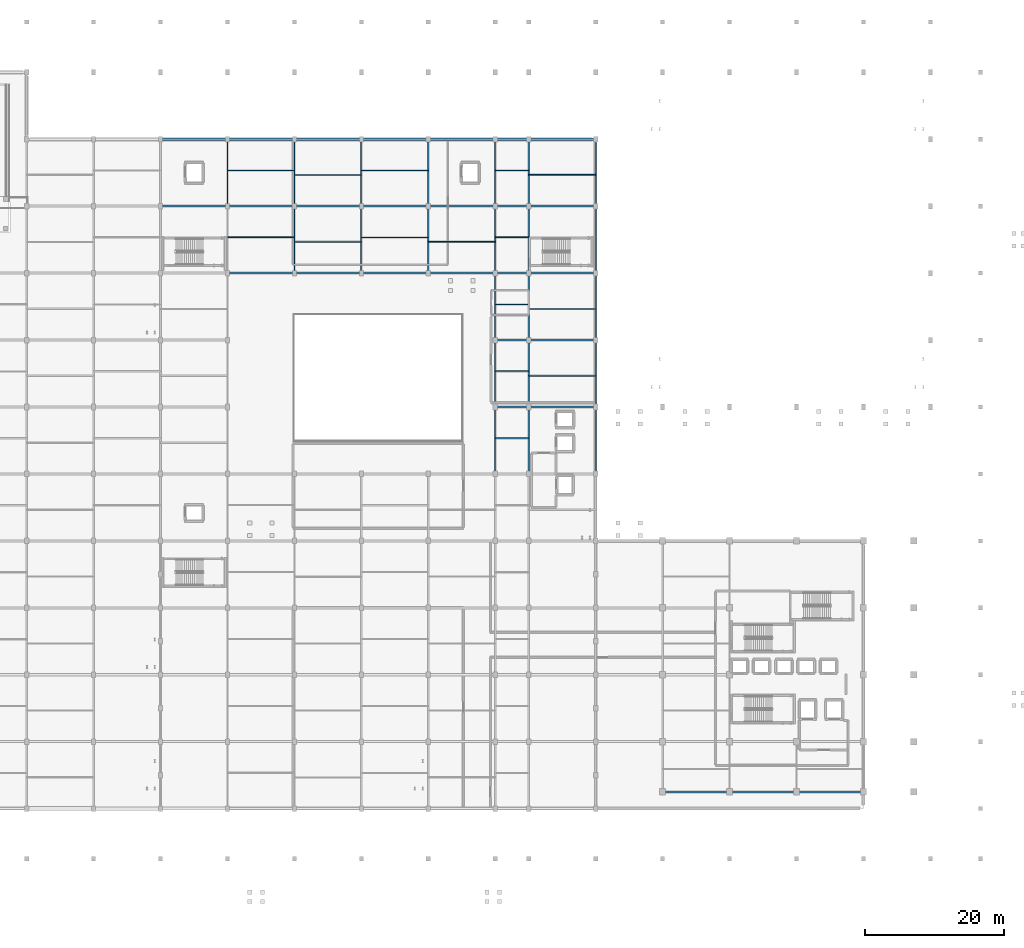
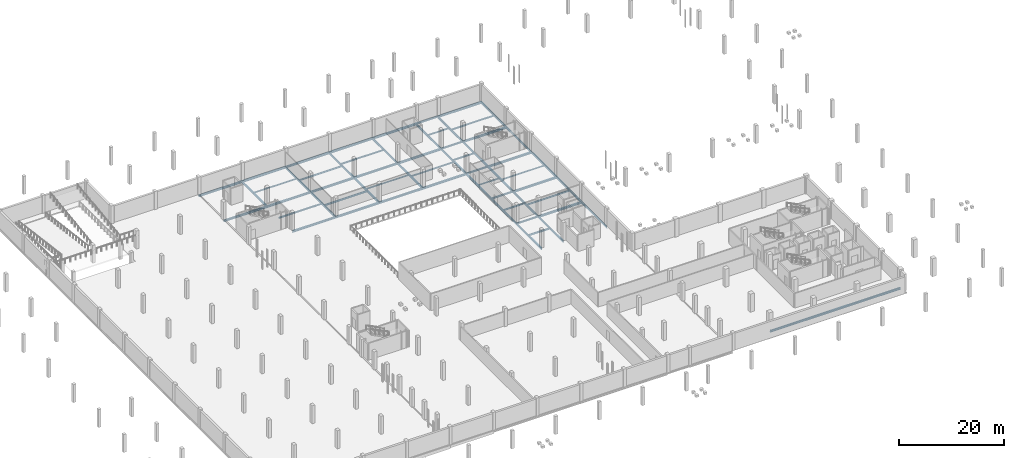
# One storey, part 29 of 47: 64 beams.
"""IFC4 building model written with IfcOpenShell, lengths in metres."""

from ifc_helpers import new_model, si_unit, direction, frame, origin, origin_2d, place, context, subcontext, project, spatial, i_section, extrude, material, material_profile, profile_set, type_object, element, save


model = new_model("IFC4")

# Units and contexts
model_context = context("Model", 3, precision=1e-05, world=origin(), true_north=direction((0.0, 1.0)))
body_context = subcontext(model_context, "Body", "Model", "MODEL_VIEW")
ifc_project = project(units=[si_unit("LENGTHUNIT", "METRE"), si_unit("AREAUNIT", "SQUARE_METRE"), si_unit("VOLUMEUNIT", "CUBIC_METRE"), si_unit("PLANEANGLEUNIT", "RADIAN"), si_unit("MASSUNIT", "GRAM", prefix="KILO")], contexts=[model_context])

# Site, building, storey
site_placement = place(None, origin())
site = spatial("IfcSite", under=ifc_project, at=site_placement, CompositionType="ELEMENT")
building_placement = place(site_placement, origin())
building = spatial("IfcBuilding", under=site, at=building_placement, Name="Zevrakil Square Congress Hotel", CompositionType="ELEMENT")
storey_placement = place(building_placement, frame((0.0, 0.0, -4.199951171875)))
storey = spatial("IfcBuildingStorey", under=building, at=storey_placement, Name="B1", CompositionType="ELEMENT", Elevation=-4.199951171875)

# Beams
ifc_material_1 = material(Name="Steel S355", Category="steel")
ifc_material_profile_1 = material_profile(ifc_material_1, i_section(OverallWidth=0.300048828125, OverallDepth=0.31005859375, WebThickness=0.009033203125, FlangeThickness=0.015380859375, FilletRadius=0.027099609375, at=origin_2d()), Name="HEA 320")
ifc_profile_set_1 = profile_set([ifc_material_profile_1], Name="Steel S355")
beam_type_1 = type_object("IfcBeamType", Name="BM-HEA320", PredefinedType="BEAM", material=ifc_profile_set_1)
for number, where, z_axis, x_axis, name in (
    (1, (103.199951171875, 64.800048828125, -0.425048828125), (1.0, 0.0, 0.0), (0.0, 1.0, 0.0), "B1 primary girder BX-0087"),
    (2, (103.199951171875, 74.39990234375, -0.425048828125), (1.0, 0.0, 0.0), (0.0, 1.0, 0.0), "B1 primary girder BX-0094"),
    (3, (103.199951171875, 84.0, -0.425048828125), (1.0, 0.0, 0.0), (0.0, 1.0, 0.0), "B1 primary girder BX-0105"),
    (4, (103.199951171875, 93.60009765625, -0.425048828125), (1.0, 0.0, 0.0), (0.0, 1.0, 0.0), "B1 primary girder BX-0114"),
    (5, (103.199951171875, 103.199951171875, -0.425048828125), (1.0, 0.0, 0.0), (0.0, 1.0, 0.0), "B1 primary girder BX-0123"),
):
    element("IfcBeam", number, at=place(storey_placement, frame(where, z_axis=z_axis, x_axis=x_axis)), inside=storey, type_object=beam_type_1, Name=name, PredefinedType="BEAM", context=body_context, shape_type="SweptSolid", body=[
        extrude(i_section(OverallWidth=0.300048828125, OverallDepth=0.31005859375, WebThickness=0.009033203125, FlangeThickness=0.015380859375, FilletRadius=0.027099609375, at=origin_2d()), origin(), (0.0, 0.0, 1.0), 4.800048828125),
    ])
ifc_material_2 = material(Name="Steel S355", Category="steel")
ifc_material_profile_2 = material_profile(ifc_material_2, i_section(OverallWidth=0.300048828125, OverallDepth=0.43994140625, WebThickness=0.011474609375, FlangeThickness=0.02099609375, FilletRadius=0.027099609375, at=origin_2d()), Name="HEA 450")
ifc_profile_set_2 = profile_set([ifc_material_profile_2], Name="Steel S355")
beam_type_2 = type_object("IfcBeamType", Name="BM-HEA450", PredefinedType="BEAM", material=ifc_profile_set_2)
beam_1_placement = place(storey_placement, frame((127.199951171875, 9.60009765625, -0.489990234375), z_axis=(1.0, 0.0, 0.0), x_axis=(0.0, 1.0, 0.0)))
element("IfcBeam", 6, at=beam_1_placement, inside=storey, type_object=beam_type_2, Name="B1 primary girder BX-0012", PredefinedType="BEAM", context=body_context, shape_type="SweptSolid", body=[
    extrude(i_section(OverallWidth=0.300048828125, OverallDepth=0.43994140625, WebThickness=0.011474609375, FlangeThickness=0.02099609375, FilletRadius=0.027099609375, at=origin_2d()), origin(), (0.0, 0.0, 1.0), 9.60009765625),
])
beam_2_placement = place(storey_placement, frame((136.800048828125, 9.60009765625, -0.489990234375), z_axis=(1.0, 0.0, 0.0), x_axis=(0.0, 1.0, 0.0)))
element("IfcBeam", 7, at=beam_2_placement, inside=storey, type_object=beam_type_2, Name="B1 primary girder BX-0013", PredefinedType="BEAM", context=body_context, shape_type="SweptSolid", body=[
    extrude(i_section(OverallWidth=0.300048828125, OverallDepth=0.43994140625, WebThickness=0.011474609375, FlangeThickness=0.02099609375, FilletRadius=0.027099609375, at=origin_2d()), origin(), (0.0, 0.0, 1.0), 9.599853515625),
])
for number, where, z_axis, x_axis, name in (
    (8, (146.39990234375, 9.60009765625, -0.489990234375), (1.0, 0.0, 0.0), (0.0, 1.0, 0.0), "B1 primary girder BX-0014"),
    (9, (108.0, 64.800048828125, -0.489990234375), (1.0, 0.0, 0.0), (0.0, 1.0, 0.0), "B1 primary girder BX-0088"),
    (10, (108.0, 74.39990234375, -0.489990234375), (1.0, 0.0, 0.0), (0.0, 1.0, 0.0), "B1 primary girder BX-0095"),
):
    element("IfcBeam", number, at=place(storey_placement, frame(where, z_axis=z_axis, x_axis=x_axis)), inside=storey, type_object=beam_type_2, Name=name, PredefinedType="BEAM", context=body_context, shape_type="SweptSolid", body=[
        extrude(i_section(OverallWidth=0.300048828125, OverallDepth=0.43994140625, WebThickness=0.011474609375, FlangeThickness=0.02099609375, FilletRadius=0.027099609375, at=origin_2d()), origin(), (0.0, 0.0, 1.0), 9.60009765625),
    ])
beam_3_placement = place(storey_placement, frame((64.800048828125, 84.0, -0.489990234375), z_axis=(1.0, 0.0, 0.0), x_axis=(0.0, 1.0, 0.0)))
element("IfcBeam", 11, at=beam_3_placement, inside=storey, type_object=beam_type_2, Name="B1 primary girder BX-0101", PredefinedType="BEAM", context=body_context, shape_type="SweptSolid", body=[
    extrude(i_section(OverallWidth=0.300048828125, OverallDepth=0.43994140625, WebThickness=0.011474609375, FlangeThickness=0.02099609375, FilletRadius=0.027099609375, at=origin_2d()), origin(), (0.0, 0.0, 1.0), 9.599853515625),
])
for number, where, z_axis, x_axis, name in (
    (12, (74.39990234375, 84.0, -0.489990234375), (1.0, 0.0, 0.0), (0.0, 1.0, 0.0), "B1 primary girder BX-0102"),
    (13, (84.0, 84.0, -0.489990234375), (1.0, 0.0, 0.0), (0.0, 1.0, 0.0), "B1 primary girder BX-0103"),
):
    element("IfcBeam", number, at=place(storey_placement, frame(where, z_axis=z_axis, x_axis=x_axis)), inside=storey, type_object=beam_type_2, Name=name, PredefinedType="BEAM", context=body_context, shape_type="SweptSolid", body=[
        extrude(i_section(OverallWidth=0.300048828125, OverallDepth=0.43994140625, WebThickness=0.011474609375, FlangeThickness=0.02099609375, FilletRadius=0.027099609375, at=origin_2d()), origin(), (0.0, 0.0, 1.0), 9.60009765625),
    ])
beam_4_placement = place(storey_placement, frame((93.60009765625, 84.0, -0.489990234375), z_axis=(1.0, 0.0, 0.0), x_axis=(0.0, 1.0, 0.0)))
element("IfcBeam", 14, at=beam_4_placement, inside=storey, type_object=beam_type_2, Name="B1 primary girder BX-0104", PredefinedType="BEAM", context=body_context, shape_type="SweptSolid", body=[
    extrude(i_section(OverallWidth=0.300048828125, OverallDepth=0.43994140625, WebThickness=0.011474609375, FlangeThickness=0.02099609375, FilletRadius=0.027099609375, at=origin_2d()), origin(), (0.0, 0.0, 1.0), 9.599853515625),
])
for number, where, z_axis, x_axis, name in (
    (15, (108.0, 84.0, -0.489990234375), (1.0, 0.0, 0.0), (0.0, 1.0, 0.0), "B1 primary girder BX-0106"),
    (16, (55.199951171875, 93.60009765625, -0.489990234375), (1.0, 0.0, 0.0), (0.0, 1.0, 0.0), "B1 primary girder BX-0109"),
):
    element("IfcBeam", number, at=place(storey_placement, frame(where, z_axis=z_axis, x_axis=x_axis)), inside=storey, type_object=beam_type_2, Name=name, PredefinedType="BEAM", context=body_context, shape_type="SweptSolid", body=[
        extrude(i_section(OverallWidth=0.300048828125, OverallDepth=0.43994140625, WebThickness=0.011474609375, FlangeThickness=0.02099609375, FilletRadius=0.027099609375, at=origin_2d()), origin(), (0.0, 0.0, 1.0), 9.60009765625),
    ])
beam_5_placement = place(storey_placement, frame((64.800048828125, 93.60009765625, -0.489990234375), z_axis=(1.0, 0.0, 0.0), x_axis=(0.0, 1.0, 0.0)))
element("IfcBeam", 17, at=beam_5_placement, inside=storey, type_object=beam_type_2, Name="B1 primary girder BX-0110", PredefinedType="BEAM", context=body_context, shape_type="SweptSolid", body=[
    extrude(i_section(OverallWidth=0.300048828125, OverallDepth=0.43994140625, WebThickness=0.011474609375, FlangeThickness=0.02099609375, FilletRadius=0.027099609375, at=origin_2d()), origin(), (0.0, 0.0, 1.0), 9.599853515625),
])
for number, where, z_axis, x_axis, name in (
    (18, (74.39990234375, 93.60009765625, -0.489990234375), (1.0, 0.0, 0.0), (0.0, 1.0, 0.0), "B1 primary girder BX-0111"),
    (19, (84.0, 93.60009765625, -0.489990234375), (1.0, 0.0, 0.0), (0.0, 1.0, 0.0), "B1 primary girder BX-0112"),
):
    element("IfcBeam", number, at=place(storey_placement, frame(where, z_axis=z_axis, x_axis=x_axis)), inside=storey, type_object=beam_type_2, Name=name, PredefinedType="BEAM", context=body_context, shape_type="SweptSolid", body=[
        extrude(i_section(OverallWidth=0.300048828125, OverallDepth=0.43994140625, WebThickness=0.011474609375, FlangeThickness=0.02099609375, FilletRadius=0.027099609375, at=origin_2d()), origin(), (0.0, 0.0, 1.0), 9.60009765625),
    ])
beam_6_placement = place(storey_placement, frame((93.60009765625, 93.60009765625, -0.489990234375), z_axis=(1.0, 0.0, 0.0), x_axis=(0.0, 1.0, 0.0)))
element("IfcBeam", 20, at=beam_6_placement, inside=storey, type_object=beam_type_2, Name="B1 primary girder BX-0113", PredefinedType="BEAM", context=body_context, shape_type="SweptSolid", body=[
    extrude(i_section(OverallWidth=0.300048828125, OverallDepth=0.43994140625, WebThickness=0.011474609375, FlangeThickness=0.02099609375, FilletRadius=0.027099609375, at=origin_2d()), origin(), (0.0, 0.0, 1.0), 9.599853515625),
])
for number, where, z_axis, x_axis, name in (
    (21, (108.0, 93.60009765625, -0.489990234375), (1.0, 0.0, 0.0), (0.0, 1.0, 0.0), "B1 primary girder BX-0115"),
    (22, (55.199951171875, 103.199951171875, -0.489990234375), (1.0, 0.0, 0.0), (0.0, 1.0, 0.0), "B1 primary girder BX-0118"),
):
    element("IfcBeam", number, at=place(storey_placement, frame(where, z_axis=z_axis, x_axis=x_axis)), inside=storey, type_object=beam_type_2, Name=name, PredefinedType="BEAM", context=body_context, shape_type="SweptSolid", body=[
        extrude(i_section(OverallWidth=0.300048828125, OverallDepth=0.43994140625, WebThickness=0.011474609375, FlangeThickness=0.02099609375, FilletRadius=0.027099609375, at=origin_2d()), origin(), (0.0, 0.0, 1.0), 9.60009765625),
    ])
beam_7_placement = place(storey_placement, frame((64.800048828125, 103.199951171875, -0.489990234375), z_axis=(1.0, 0.0, 0.0), x_axis=(0.0, 1.0, 0.0)))
element("IfcBeam", 23, at=beam_7_placement, inside=storey, type_object=beam_type_2, Name="B1 primary girder BX-0119", PredefinedType="BEAM", context=body_context, shape_type="SweptSolid", body=[
    extrude(i_section(OverallWidth=0.300048828125, OverallDepth=0.43994140625, WebThickness=0.011474609375, FlangeThickness=0.02099609375, FilletRadius=0.027099609375, at=origin_2d()), origin(), (0.0, 0.0, 1.0), 9.599853515625),
])
for number, where, z_axis, x_axis, name in (
    (24, (74.39990234375, 103.199951171875, -0.489990234375), (1.0, 0.0, 0.0), (0.0, 1.0, 0.0), "B1 primary girder BX-0120"),
    (25, (84.0, 103.199951171875, -0.489990234375), (1.0, 0.0, 0.0), (0.0, 1.0, 0.0), "B1 primary girder BX-0121"),
):
    element("IfcBeam", number, at=place(storey_placement, frame(where, z_axis=z_axis, x_axis=x_axis)), inside=storey, type_object=beam_type_2, Name=name, PredefinedType="BEAM", context=body_context, shape_type="SweptSolid", body=[
        extrude(i_section(OverallWidth=0.300048828125, OverallDepth=0.43994140625, WebThickness=0.011474609375, FlangeThickness=0.02099609375, FilletRadius=0.027099609375, at=origin_2d()), origin(), (0.0, 0.0, 1.0), 9.60009765625),
    ])
beam_8_placement = place(storey_placement, frame((93.60009765625, 103.199951171875, -0.489990234375), z_axis=(1.0, 0.0, 0.0), x_axis=(0.0, 1.0, 0.0)))
element("IfcBeam", 26, at=beam_8_placement, inside=storey, type_object=beam_type_2, Name="B1 primary girder BX-0122", PredefinedType="BEAM", context=body_context, shape_type="SweptSolid", body=[
    extrude(i_section(OverallWidth=0.300048828125, OverallDepth=0.43994140625, WebThickness=0.011474609375, FlangeThickness=0.02099609375, FilletRadius=0.027099609375, at=origin_2d()), origin(), (0.0, 0.0, 1.0), 9.599853515625),
])
beam_9_placement = place(storey_placement, frame((108.0, 103.199951171875, -0.489990234375), z_axis=(1.0, 0.0, 0.0), x_axis=(0.0, 1.0, 0.0)))
element("IfcBeam", 27, at=beam_9_placement, inside=storey, type_object=beam_type_2, Name="B1 primary girder BX-0124", PredefinedType="BEAM", context=body_context, shape_type="SweptSolid", body=[
    extrude(i_section(OverallWidth=0.300048828125, OverallDepth=0.43994140625, WebThickness=0.011474609375, FlangeThickness=0.02099609375, FilletRadius=0.027099609375, at=origin_2d()), origin(), (0.0, 0.0, 1.0), 9.60009765625),
])
ifc_material_3 = material(Name="Steel S355", Category="steel")
ifc_material_profile_3 = material_profile(ifc_material_3, i_section(OverallWidth=0.199951171875, OverallDepth=0.5, WebThickness=0.01025390625, FlangeThickness=0.01611328125, FilletRadius=0.02099609375, at=origin_2d()), Name="IPE 500")
ifc_profile_set_3 = profile_set([ifc_material_profile_3], Name="Steel S355")
beam_type_3 = type_object("IfcBeamType", Name="BM-IPE500", PredefinedType="BEAM", material=ifc_profile_set_3)
beam_10_placement = place(storey_placement, frame((64.800048828125, 93.60009765625, -0.52001953125), z_axis=(0.0, 1.0, 0.0), x_axis=(-1.0, 0.0, 0.0)))
element("IfcBeam", 28, at=beam_10_placement, inside=storey, type_object=beam_type_3, Name="B1 primary girder BY-0190", PredefinedType="BEAM", context=body_context, shape_type="SweptSolid", body=[
    extrude(i_section(OverallWidth=0.199951171875, OverallDepth=0.5, WebThickness=0.01025390625, FlangeThickness=0.01611328125, FilletRadius=0.02099609375, at=origin_2d()), origin(), (0.0, 0.0, 1.0), 9.599853515625),
])
beam_11_placement = place(storey_placement, frame((74.39990234375, 84.0, -0.52001953125), z_axis=(0.0, 1.0, 0.0), x_axis=(-1.0, 0.0, 0.0)))
element("IfcBeam", 29, at=beam_11_placement, inside=storey, type_object=beam_type_3, Name="B1 primary girder BY-0196", PredefinedType="BEAM", context=body_context, shape_type="SweptSolid", body=[
    extrude(i_section(OverallWidth=0.199951171875, OverallDepth=0.5, WebThickness=0.01025390625, FlangeThickness=0.01611328125, FilletRadius=0.02099609375, at=origin_2d()), origin(), (0.0, 0.0, 1.0), 9.60009765625),
])
beam_12_placement = place(storey_placement, frame((74.39990234375, 93.60009765625, -0.52001953125), z_axis=(0.0, 1.0, 0.0), x_axis=(-1.0, 0.0, 0.0)))
element("IfcBeam", 30, at=beam_12_placement, inside=storey, type_object=beam_type_3, Name="B1 primary girder BY-0197", PredefinedType="BEAM", context=body_context, shape_type="SweptSolid", body=[
    extrude(i_section(OverallWidth=0.199951171875, OverallDepth=0.5, WebThickness=0.01025390625, FlangeThickness=0.01611328125, FilletRadius=0.02099609375, at=origin_2d()), origin(), (0.0, 0.0, 1.0), 9.599853515625),
])
beam_13_placement = place(storey_placement, frame((84.0, 84.0, -0.52001953125), z_axis=(0.0, 1.0, 0.0), x_axis=(-1.0, 0.0, 0.0)))
element("IfcBeam", 31, at=beam_13_placement, inside=storey, type_object=beam_type_3, Name="B1 primary girder BY-0203", PredefinedType="BEAM", context=body_context, shape_type="SweptSolid", body=[
    extrude(i_section(OverallWidth=0.199951171875, OverallDepth=0.5, WebThickness=0.01025390625, FlangeThickness=0.01611328125, FilletRadius=0.02099609375, at=origin_2d()), origin(), (0.0, 0.0, 1.0), 9.60009765625),
])
beam_14_placement = place(storey_placement, frame((84.0, 93.60009765625, -0.52001953125), z_axis=(0.0, 1.0, 0.0), x_axis=(-1.0, 0.0, 0.0)))
element("IfcBeam", 32, at=beam_14_placement, inside=storey, type_object=beam_type_3, Name="B1 primary girder BY-0204", PredefinedType="BEAM", context=body_context, shape_type="SweptSolid", body=[
    extrude(i_section(OverallWidth=0.199951171875, OverallDepth=0.5, WebThickness=0.01025390625, FlangeThickness=0.01611328125, FilletRadius=0.02099609375, at=origin_2d()), origin(), (0.0, 0.0, 1.0), 9.599853515625),
])
beam_15_placement = place(storey_placement, frame((93.60009765625, 84.0, -0.52001953125), z_axis=(0.0, 1.0, 0.0), x_axis=(-1.0, 0.0, 0.0)))
element("IfcBeam", 33, at=beam_15_placement, inside=storey, type_object=beam_type_3, Name="B1 primary girder BY-0210", PredefinedType="BEAM", context=body_context, shape_type="SweptSolid", body=[
    extrude(i_section(OverallWidth=0.199951171875, OverallDepth=0.5, WebThickness=0.01025390625, FlangeThickness=0.01611328125, FilletRadius=0.02099609375, at=origin_2d()), origin(), (0.0, 0.0, 1.0), 9.60009765625),
])
beam_16_placement = place(storey_placement, frame((93.60009765625, 93.60009765625, -0.52001953125), z_axis=(0.0, 1.0, 0.0), x_axis=(-1.0, 0.0, 0.0)))
element("IfcBeam", 34, at=beam_16_placement, inside=storey, type_object=beam_type_3, Name="B1 primary girder BY-0211", PredefinedType="BEAM", context=body_context, shape_type="SweptSolid", body=[
    extrude(i_section(OverallWidth=0.199951171875, OverallDepth=0.5, WebThickness=0.01025390625, FlangeThickness=0.01611328125, FilletRadius=0.02099609375, at=origin_2d()), origin(), (0.0, 0.0, 1.0), 9.599853515625),
])
beam_17_placement = place(storey_placement, frame((103.199951171875, 55.199951171875, -0.52001953125), z_axis=(0.0, 1.0, 0.0), x_axis=(-1.0, 0.0, 0.0)))
element("IfcBeam", 35, at=beam_17_placement, inside=storey, type_object=beam_type_3, Name="B1 primary girder BY-0217", PredefinedType="BEAM", context=body_context, shape_type="SweptSolid", body=[
    extrude(i_section(OverallWidth=0.199951171875, OverallDepth=0.5, WebThickness=0.01025390625, FlangeThickness=0.01611328125, FilletRadius=0.02099609375, at=origin_2d()), origin(), (0.0, 0.0, 1.0), 9.60009765625),
])
beam_18_placement = place(storey_placement, frame((103.199951171875, 64.800048828125, -0.52001953125), z_axis=(0.0, 1.0, 0.0), x_axis=(-1.0, 0.0, 0.0)))
element("IfcBeam", 36, at=beam_18_placement, inside=storey, type_object=beam_type_3, Name="B1 primary girder BY-0218", PredefinedType="BEAM", context=body_context, shape_type="SweptSolid", body=[
    extrude(i_section(OverallWidth=0.199951171875, OverallDepth=0.5, WebThickness=0.01025390625, FlangeThickness=0.01611328125, FilletRadius=0.02099609375, at=origin_2d()), origin(), (0.0, 0.0, 1.0), 9.599853515625),
])
for number, where, z_axis, x_axis, name in (
    (37, (103.199951171875, 74.39990234375, -0.52001953125), (0.0, 1.0, 0.0), (-1.0, 0.0, 0.0), "B1 primary girder BY-0219"),
    (38, (103.199951171875, 84.0, -0.52001953125), (0.0, 1.0, 0.0), (-1.0, 0.0, 0.0), "B1 primary girder BY-0220"),
):
    element("IfcBeam", number, at=place(storey_placement, frame(where, z_axis=z_axis, x_axis=x_axis)), inside=storey, type_object=beam_type_3, Name=name, PredefinedType="BEAM", context=body_context, shape_type="SweptSolid", body=[
        extrude(i_section(OverallWidth=0.199951171875, OverallDepth=0.5, WebThickness=0.01025390625, FlangeThickness=0.01611328125, FilletRadius=0.02099609375, at=origin_2d()), origin(), (0.0, 0.0, 1.0), 9.60009765625),
    ])
beam_19_placement = place(storey_placement, frame((103.199951171875, 93.60009765625, -0.52001953125), z_axis=(0.0, 1.0, 0.0), x_axis=(-1.0, 0.0, 0.0)))
element("IfcBeam", 39, at=beam_19_placement, inside=storey, type_object=beam_type_3, Name="B1 primary girder BY-0221", PredefinedType="BEAM", context=body_context, shape_type="SweptSolid", body=[
    extrude(i_section(OverallWidth=0.199951171875, OverallDepth=0.5, WebThickness=0.01025390625, FlangeThickness=0.01611328125, FilletRadius=0.02099609375, at=origin_2d()), origin(), (0.0, 0.0, 1.0), 9.599853515625),
])
beam_20_placement = place(storey_placement, frame((108.0, 55.199951171875, -0.52001953125), z_axis=(0.0, 1.0, 0.0), x_axis=(-1.0, 0.0, 0.0)))
element("IfcBeam", 40, at=beam_20_placement, inside=storey, type_object=beam_type_3, Name="B1 primary girder BY-0227", PredefinedType="BEAM", context=body_context, shape_type="SweptSolid", body=[
    extrude(i_section(OverallWidth=0.199951171875, OverallDepth=0.5, WebThickness=0.01025390625, FlangeThickness=0.01611328125, FilletRadius=0.02099609375, at=origin_2d()), origin(), (0.0, 0.0, 1.0), 9.60009765625),
])
beam_21_placement = place(storey_placement, frame((108.0, 64.800048828125, -0.52001953125), z_axis=(0.0, 1.0, 0.0), x_axis=(-1.0, 0.0, 0.0)))
element("IfcBeam", 41, at=beam_21_placement, inside=storey, type_object=beam_type_3, Name="B1 primary girder BY-0228", PredefinedType="BEAM", context=body_context, shape_type="SweptSolid", body=[
    extrude(i_section(OverallWidth=0.199951171875, OverallDepth=0.5, WebThickness=0.01025390625, FlangeThickness=0.01611328125, FilletRadius=0.02099609375, at=origin_2d()), origin(), (0.0, 0.0, 1.0), 9.599853515625),
])
for number, where, z_axis, x_axis, name in (
    (42, (108.0, 74.39990234375, -0.52001953125), (0.0, 1.0, 0.0), (-1.0, 0.0, 0.0), "B1 primary girder BY-0229"),
    (43, (108.0, 84.0, -0.52001953125), (0.0, 1.0, 0.0), (-1.0, 0.0, 0.0), "B1 primary girder BY-0230"),
):
    element("IfcBeam", number, at=place(storey_placement, frame(where, z_axis=z_axis, x_axis=x_axis)), inside=storey, type_object=beam_type_3, Name=name, PredefinedType="BEAM", context=body_context, shape_type="SweptSolid", body=[
        extrude(i_section(OverallWidth=0.199951171875, OverallDepth=0.5, WebThickness=0.01025390625, FlangeThickness=0.01611328125, FilletRadius=0.02099609375, at=origin_2d()), origin(), (0.0, 0.0, 1.0), 9.60009765625),
    ])
beam_22_placement = place(storey_placement, frame((108.0, 93.60009765625, -0.52001953125), z_axis=(0.0, 1.0, 0.0), x_axis=(-1.0, 0.0, 0.0)))
element("IfcBeam", 44, at=beam_22_placement, inside=storey, type_object=beam_type_3, Name="B1 primary girder BY-0231", PredefinedType="BEAM", context=body_context, shape_type="SweptSolid", body=[
    extrude(i_section(OverallWidth=0.199951171875, OverallDepth=0.5, WebThickness=0.01025390625, FlangeThickness=0.01611328125, FilletRadius=0.02099609375, at=origin_2d()), origin(), (0.0, 0.0, 1.0), 9.599853515625),
])
beam_23_placement = place(storey_placement, frame((117.60009765625, 55.199951171875, -0.52001953125), z_axis=(0.0, 1.0, 0.0), x_axis=(-1.0, 0.0, 0.0)))
element("IfcBeam", 45, at=beam_23_placement, inside=storey, type_object=beam_type_3, Name="B1 primary girder BY-0241", PredefinedType="BEAM", context=body_context, shape_type="SweptSolid", body=[
    extrude(i_section(OverallWidth=0.199951171875, OverallDepth=0.5, WebThickness=0.01025390625, FlangeThickness=0.01611328125, FilletRadius=0.02099609375, at=origin_2d()), origin(), (0.0, 0.0, 1.0), 9.60009765625),
])
beam_24_placement = place(storey_placement, frame((117.60009765625, 64.800048828125, -0.52001953125), z_axis=(0.0, 1.0, 0.0), x_axis=(-1.0, 0.0, 0.0)))
element("IfcBeam", 46, at=beam_24_placement, inside=storey, type_object=beam_type_3, Name="B1 primary girder BY-0242", PredefinedType="BEAM", context=body_context, shape_type="SweptSolid", body=[
    extrude(i_section(OverallWidth=0.199951171875, OverallDepth=0.5, WebThickness=0.01025390625, FlangeThickness=0.01611328125, FilletRadius=0.02099609375, at=origin_2d()), origin(), (0.0, 0.0, 1.0), 9.599853515625),
])
for number, where, z_axis, x_axis, name in (
    (47, (117.60009765625, 74.39990234375, -0.52001953125), (0.0, 1.0, 0.0), (-1.0, 0.0, 0.0), "B1 primary girder BY-0243"),
    (48, (117.60009765625, 84.0, -0.52001953125), (0.0, 1.0, 0.0), (-1.0, 0.0, 0.0), "B1 primary girder BY-0244"),
):
    element("IfcBeam", number, at=place(storey_placement, frame(where, z_axis=z_axis, x_axis=x_axis)), inside=storey, type_object=beam_type_3, Name=name, PredefinedType="BEAM", context=body_context, shape_type="SweptSolid", body=[
        extrude(i_section(OverallWidth=0.199951171875, OverallDepth=0.5, WebThickness=0.01025390625, FlangeThickness=0.01611328125, FilletRadius=0.02099609375, at=origin_2d()), origin(), (0.0, 0.0, 1.0), 9.60009765625),
    ])
beam_25_placement = place(storey_placement, frame((117.60009765625, 93.60009765625, -0.52001953125), z_axis=(0.0, 1.0, 0.0), x_axis=(-1.0, 0.0, 0.0)))
element("IfcBeam", 49, at=beam_25_placement, inside=storey, type_object=beam_type_3, Name="B1 primary girder BY-0245", PredefinedType="BEAM", context=body_context, shape_type="SweptSolid", body=[
    extrude(i_section(OverallWidth=0.199951171875, OverallDepth=0.5, WebThickness=0.01025390625, FlangeThickness=0.01611328125, FilletRadius=0.02099609375, at=origin_2d()), origin(), (0.0, 0.0, 1.0), 9.599853515625),
])
ifc_material_4 = material(Name="Steel S355", Category="steel")
ifc_material_profile_4 = material_profile(ifc_material_4, i_section(OverallWidth=0.1201171875, OverallDepth=0.239990234375, WebThickness=0.006103515625, FlangeThickness=0.009765625, FilletRadius=0.014892578125, at=origin_2d()), Name="IPE 240")
ifc_profile_set_4 = profile_set([ifc_material_profile_4], Name="Steel S355")
beam_type_4 = type_object("IfcBeamType", Name="JST-IPE240", PredefinedType="JOIST", material=ifc_profile_set_4)
for number, where, z_axis, x_axis, name in (
    (50, (64.820068359375, 98.719970703125, -0.39013671875), (1.0, 0.0, 0.0), (0.0, 1.0, 0.0), "B1 composite floor joist J-0042"),
    (51, (93.6201171875, 88.47998046875, -0.39013671875), (1.0, 0.0, 0.0), (0.0, 1.0, 0.0), "B1 composite floor joist J-0062"),
):
    element("IfcBeam", number, at=place(storey_placement, frame(where, z_axis=z_axis, x_axis=x_axis)), inside=storey, type_object=beam_type_4, Name=name, PredefinedType="JOIST", context=body_context, shape_type="SweptSolid", body=[
        extrude(i_section(OverallWidth=0.1201171875, OverallDepth=0.239990234375, WebThickness=0.006103515625, FlangeThickness=0.009765625, FilletRadius=0.014892578125, at=origin_2d()), origin(), (0.0, 0.0, 1.0), 9.559814453125),
    ])
beam_26_placement = place(storey_placement, frame((103.219970703125, 98.719970703125, -0.39013671875), z_axis=(1.0, 0.0, 0.0), x_axis=(0.0, 1.0, 0.0)))
element("IfcBeam", 52, at=beam_26_placement, inside=storey, type_object=beam_type_4, Name="B1 composite floor joist J-0072", PredefinedType="JOIST", context=body_context, shape_type="SweptSolid", body=[
    extrude(i_section(OverallWidth=0.1201171875, OverallDepth=0.239990234375, WebThickness=0.006103515625, FlangeThickness=0.009765625, FilletRadius=0.014892578125, at=origin_2d()), origin(), (0.0, 0.0, 1.0), 4.760009765625),
])
ifc_material_5 = material(Name="Steel S355", Category="steel")
ifc_material_profile_5 = material_profile(ifc_material_5, i_section(OverallWidth=0.135009765625, OverallDepth=0.27001953125, WebThickness=0.006591796875, FlangeThickness=0.01025390625, FilletRadius=0.014892578125, at=origin_2d()), Name="IPE 270")
ifc_profile_set_5 = profile_set([ifc_material_profile_5], Name="Steel S355")
beam_type_5 = type_object("IfcBeamType", Name="JST-IPE270", PredefinedType="JOIST", material=ifc_profile_set_5)
beam_27_placement = place(storey_placement, frame((64.820068359375, 89.1201171875, -0.405029296875), z_axis=(1.0, 0.0, 0.0), x_axis=(0.0, 1.0, 0.0)))
element("IfcBeam", 53, at=beam_27_placement, inside=storey, type_object=beam_type_5, Name="B1 composite floor joist J-0041", PredefinedType="JOIST", context=body_context, shape_type="SweptSolid", body=[
    extrude(i_section(OverallWidth=0.135009765625, OverallDepth=0.27001953125, WebThickness=0.006591796875, FlangeThickness=0.01025390625, FilletRadius=0.014892578125, at=origin_2d()), origin(), (0.0, 0.0, 1.0), 9.559814453125),
])
beam_28_placement = place(storey_placement, frame((84.02001953125, 98.719970703125, -0.405029296875), z_axis=(1.0, 0.0, 0.0), x_axis=(0.0, 1.0, 0.0)))
element("IfcBeam", 54, at=beam_28_placement, inside=storey, type_object=beam_type_5, Name="B1 composite floor joist J-0056", PredefinedType="JOIST", context=body_context, shape_type="SweptSolid", body=[
    extrude(i_section(OverallWidth=0.135009765625, OverallDepth=0.27001953125, WebThickness=0.006591796875, FlangeThickness=0.01025390625, FilletRadius=0.014892578125, at=origin_2d()), origin(), (0.0, 0.0, 1.0), 9.56005859375),
])
beam_29_placement = place(storey_placement, frame((103.219970703125, 89.1201171875, -0.405029296875), z_axis=(1.0, 0.0, 0.0), x_axis=(0.0, 1.0, 0.0)))
element("IfcBeam", 55, at=beam_29_placement, inside=storey, type_object=beam_type_5, Name="B1 composite floor joist J-0071", PredefinedType="JOIST", context=body_context, shape_type="SweptSolid", body=[
    extrude(i_section(OverallWidth=0.135009765625, OverallDepth=0.27001953125, WebThickness=0.006591796875, FlangeThickness=0.01025390625, FilletRadius=0.014892578125, at=origin_2d()), origin(), (0.0, 0.0, 1.0), 4.760009765625),
])
beam_30_placement = place(storey_placement, frame((108.02001953125, 98.080078125, -0.405029296875), z_axis=(1.0, 0.0, 0.0), x_axis=(0.0, 1.0, 0.0)))
element("IfcBeam", 56, at=beam_30_placement, inside=storey, type_object=beam_type_5, Name="B1 composite floor joist J-0076", PredefinedType="JOIST", context=body_context, shape_type="SweptSolid", body=[
    extrude(i_section(OverallWidth=0.135009765625, OverallDepth=0.27001953125, WebThickness=0.006591796875, FlangeThickness=0.01025390625, FilletRadius=0.014892578125, at=origin_2d()), origin(), (0.0, 0.0, 1.0), 9.56005859375),
])
ifc_material_6 = material(Name="Steel S355", Category="steel")
ifc_material_profile_6 = material_profile(ifc_material_6, i_section(OverallWidth=0.14990234375, OverallDepth=0.300048828125, WebThickness=0.007080078125, FlangeThickness=0.0107421875, FilletRadius=0.014892578125, at=origin_2d()), Name="IPE 300")
ifc_profile_set_6 = profile_set([ifc_material_profile_6], Name="Steel S355")
beam_type_6 = type_object("IfcBeamType", Name="JST-IPE300", PredefinedType="JOIST", material=ifc_profile_set_6)
beam_31_placement = place(storey_placement, frame((84.02001953125, 89.1201171875, -0.420166015625), z_axis=(1.0, 0.0, 0.0), x_axis=(0.0, 1.0, 0.0)))
element("IfcBeam", 57, at=beam_31_placement, inside=storey, type_object=beam_type_6, Name="B1 composite floor joist J-0055", PredefinedType="JOIST", context=body_context, shape_type="SweptSolid", body=[
    extrude(i_section(OverallWidth=0.14990234375, OverallDepth=0.300048828125, WebThickness=0.007080078125, FlangeThickness=0.0107421875, FilletRadius=0.014892578125, at=origin_2d()), origin(), (0.0, 0.0, 1.0), 9.56005859375),
])
beam_32_placement = place(storey_placement, frame((103.219970703125, 79.52001953125, -0.420166015625), z_axis=(1.0, 0.0, 0.0), x_axis=(0.0, 1.0, 0.0)))
element("IfcBeam", 58, at=beam_32_placement, inside=storey, type_object=beam_type_6, Name="B1 composite floor joist J-0070", PredefinedType="JOIST", context=body_context, shape_type="SweptSolid", body=[
    extrude(i_section(OverallWidth=0.14990234375, OverallDepth=0.300048828125, WebThickness=0.007080078125, FlangeThickness=0.0107421875, FilletRadius=0.014892578125, at=origin_2d()), origin(), (0.0, 0.0, 1.0), 4.760009765625),
])
beam_33_placement = place(storey_placement, frame((108.02001953125, 78.8798828125, -0.420166015625), z_axis=(1.0, 0.0, 0.0), x_axis=(0.0, 1.0, 0.0)))
element("IfcBeam", 59, at=beam_33_placement, inside=storey, type_object=beam_type_6, Name="B1 composite floor joist J-0075", PredefinedType="JOIST", context=body_context, shape_type="SweptSolid", body=[
    extrude(i_section(OverallWidth=0.14990234375, OverallDepth=0.300048828125, WebThickness=0.007080078125, FlangeThickness=0.0107421875, FilletRadius=0.014892578125, at=origin_2d()), origin(), (0.0, 0.0, 1.0), 9.56005859375),
])
ifc_material_7 = material(Name="Steel S355", Category="steel")
ifc_material_profile_7 = material_profile(ifc_material_7, i_section(OverallWidth=0.169921875, OverallDepth=0.360107421875, WebThickness=0.008056640625, FlangeThickness=0.0126953125, FilletRadius=0.01806640625, at=origin_2d()), Name="IPE 360")
ifc_profile_set_7 = profile_set([ifc_material_profile_7], Name="Steel S355")
beam_type_7 = type_object("IfcBeamType", Name="JST-IPE360", PredefinedType="JOIST", material=ifc_profile_set_7)
beam_34_placement = place(storey_placement, frame((74.419921875, 98.080078125, -0.449951171875), z_axis=(1.0, 0.0, 0.0), x_axis=(0.0, 1.0, 0.0)))
element("IfcBeam", 60, at=beam_34_placement, inside=storey, type_object=beam_type_7, Name="B1 composite floor joist J-0049", PredefinedType="JOIST", context=body_context, shape_type="SweptSolid", body=[
    extrude(i_section(OverallWidth=0.169921875, OverallDepth=0.360107421875, WebThickness=0.008056640625, FlangeThickness=0.0126953125, FilletRadius=0.01806640625, at=origin_2d()), origin(), (0.0, 0.0, 1.0), 9.56005859375),
])
beam_35_placement = place(storey_placement, frame((103.219970703125, 69.919921875, -0.449951171875), z_axis=(1.0, 0.0, 0.0), x_axis=(0.0, 1.0, 0.0)))
element("IfcBeam", 61, at=beam_35_placement, inside=storey, type_object=beam_type_7, Name="B1 composite floor joist J-0069", PredefinedType="JOIST", context=body_context, shape_type="SweptSolid", body=[
    extrude(i_section(OverallWidth=0.169921875, OverallDepth=0.360107421875, WebThickness=0.008056640625, FlangeThickness=0.0126953125, FilletRadius=0.01806640625, at=origin_2d()), origin(), (0.0, 0.0, 1.0), 4.760009765625),
])
beam_36_placement = place(storey_placement, frame((108.02001953125, 69.280029296875, -0.449951171875), z_axis=(1.0, 0.0, 0.0), x_axis=(0.0, 1.0, 0.0)))
element("IfcBeam", 62, at=beam_36_placement, inside=storey, type_object=beam_type_7, Name="B1 composite floor joist J-0074", PredefinedType="JOIST", context=body_context, shape_type="SweptSolid", body=[
    extrude(i_section(OverallWidth=0.169921875, OverallDepth=0.360107421875, WebThickness=0.008056640625, FlangeThickness=0.0126953125, FilletRadius=0.01806640625, at=origin_2d()), origin(), (0.0, 0.0, 1.0), 9.56005859375),
])
ifc_material_8 = material(Name="Steel S355", Category="steel")
ifc_material_profile_8 = material_profile(ifc_material_8, i_section(OverallWidth=0.179931640625, OverallDepth=0.39990234375, WebThickness=0.008544921875, FlangeThickness=0.013427734375, FilletRadius=0.02099609375, at=origin_2d()), Name="IPE 400")
ifc_profile_set_8 = profile_set([ifc_material_profile_8], Name="Steel S355")
beam_type_8 = type_object("IfcBeamType", Name="JST-IPE400", PredefinedType="JOIST", material=ifc_profile_set_8)
beam_37_placement = place(storey_placement, frame((74.419921875, 88.47998046875, -0.469970703125), z_axis=(1.0, 0.0, 0.0), x_axis=(0.0, 1.0, 0.0)))
element("IfcBeam", 63, at=beam_37_placement, inside=storey, type_object=beam_type_8, Name="B1 composite floor joist J-0048", PredefinedType="JOIST", context=body_context, shape_type="SweptSolid", body=[
    extrude(i_section(OverallWidth=0.179931640625, OverallDepth=0.39990234375, WebThickness=0.008544921875, FlangeThickness=0.013427734375, FilletRadius=0.02099609375, at=origin_2d()), origin(), (0.0, 0.0, 1.0), 9.56005859375),
])
beam_38_placement = place(storey_placement, frame((103.219970703125, 60.320068359375, -0.469970703125), z_axis=(1.0, 0.0, 0.0), x_axis=(0.0, 1.0, 0.0)))
element("IfcBeam", 64, at=beam_38_placement, inside=storey, type_object=beam_type_8, Name="B1 composite floor joist J-0068", PredefinedType="JOIST", context=body_context, shape_type="SweptSolid", body=[
    extrude(i_section(OverallWidth=0.179931640625, OverallDepth=0.39990234375, WebThickness=0.008544921875, FlangeThickness=0.013427734375, FilletRadius=0.02099609375, at=origin_2d()), origin(), (0.0, 0.0, 1.0), 4.760009765625),
])

save(model, "model.ifc")
